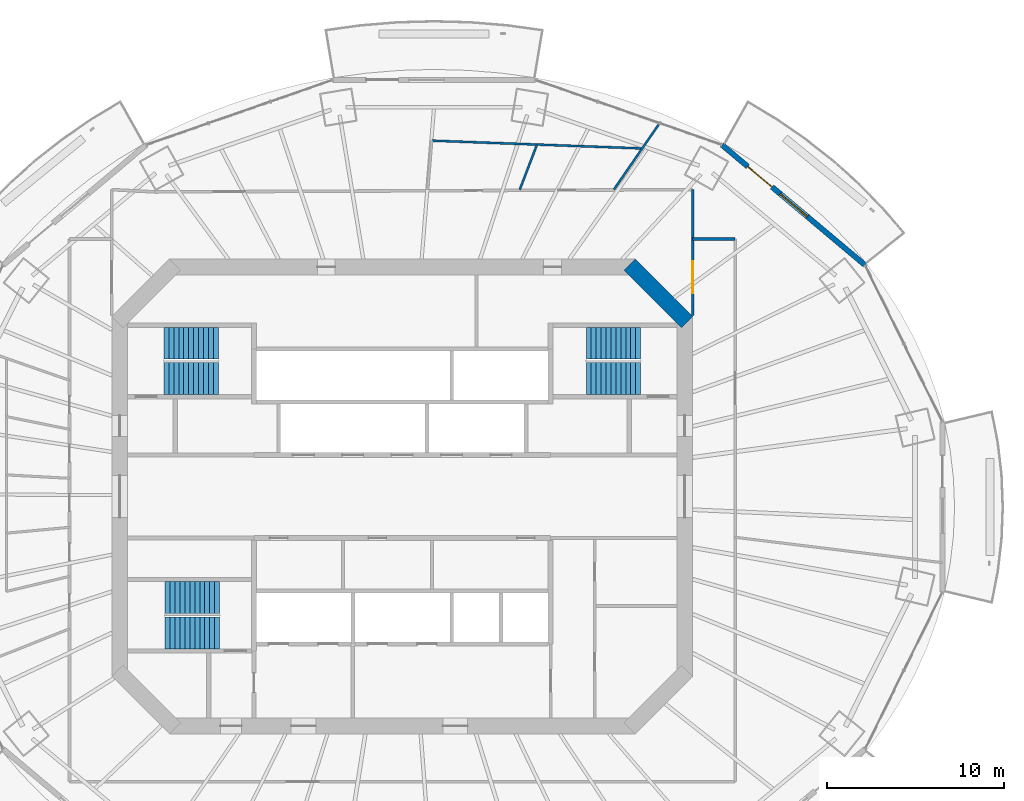
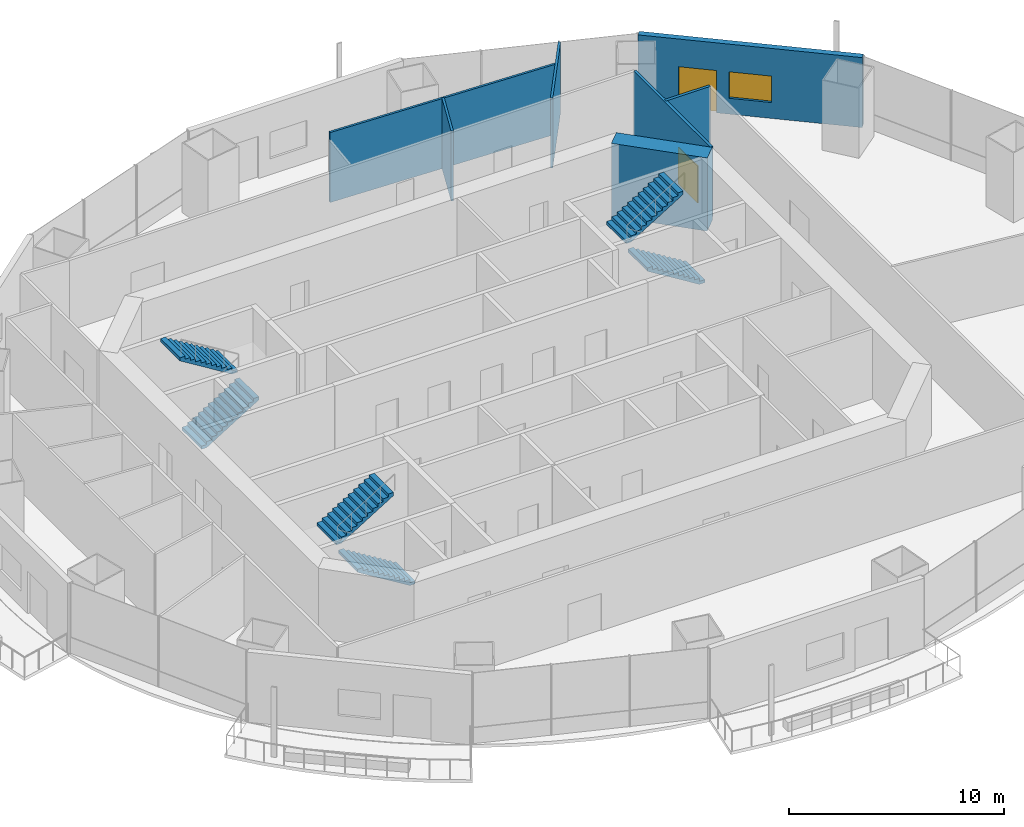
# One storey, part 13 of 18: 7 walls, 6 stair flights, 2 doors, 1 window, 3 openings, 3 elements without a shape of their own.
"""IFC4 building model written with IfcOpenShell, lengths in metres."""

from ifc_helpers import new_model, si_unit, direction, frame, frame_2d, origin, place, context, subcontext, project, spatial, polyline, rectangle, outline, extrude, material, layer, layer_set, type_object, element, fill, aggregate, save


model = new_model("IFC4")

# Units and contexts
model_context = context("Model", 3, precision=1e-05, world=origin(), true_north=direction((0.0, 1.0)))
body_context = subcontext(model_context, "Body", "Model", "MODEL_VIEW")
ifc_project = project(units=[si_unit("LENGTHUNIT", "METRE"), si_unit("AREAUNIT", "SQUARE_METRE"), si_unit("VOLUMEUNIT", "CUBIC_METRE"), si_unit("PLANEANGLEUNIT", "RADIAN"), si_unit("MASSUNIT", "GRAM", prefix="KILO")], contexts=[model_context])

# Site, building, storey
site_placement = place(None, origin())
site = spatial("IfcSite", under=ifc_project, at=site_placement, CompositionType="ELEMENT")
building_placement = place(site_placement, origin())
building = spatial("IfcBuilding", under=site, at=building_placement, Name="Marenthal Gate Tower", CompositionType="ELEMENT")
storey_placement = place(building_placement, frame((0.0, 0.0, 260.64990234375)))
storey = spatial("IfcBuildingStorey", under=building, at=storey_placement, Name="L58", CompositionType="ELEMENT", Elevation=260.64990234375)

# Walls
ifc_material_1 = material(Name="Concrete 60 MPa", Category="concrete")
ifc_layer_1 = layer(ifc_material_1, 0.89990234375)
ifc_layer_set_1 = layer_set([ifc_layer_1], Name="Core shear wall 900")
wall_type_1 = type_object("IfcWallType", Name="Core shear wall 900", PredefinedType="SHEAR", material=ifc_layer_set_1)
wall_1_placement = place(storey_placement, frame((16.1318359375, 9.8681640625, -0.179931640625), z_axis=(0.0, 0.0, 1.0), x_axis=(-0.707106781187, 0.707106781187, 0.0)))
element("IfcWall", 1, at=wall_1_placement, inside=storey, type_object=wall_type_1, Name="Core wall 03", PredefinedType="SHEAR", context=body_context, shape_type="SweptSolid", body=[
    extrude(rectangle(XDim=4.615478515625, YDim=0.89990234375, at=frame_2d((2.3076171875, 0.0))), origin(), (0.0, 0.0, 1.0), 4.150146484375),
])
ifc_material_2 = material(Name="Gypsum board on steel studs", Category="steel")
ifc_layer_2 = layer(ifc_material_2, 0.1201171875)
ifc_layer_set_2 = layer_set([ifc_layer_2], Name="Partition 120")
wall_type_2 = type_object("IfcWallType", Name="Partition 120", PredefinedType="PARTITIONING", material=ifc_layer_set_2)
wall_2_placement = place(storey_placement, frame((7.631591796875, 19.93310546875, 0.0), z_axis=(0.0, 0.0, 1.0), x_axis=(-0.357506405086, -0.933910686481, 0.0)))
element("IfcWall", 2, at=wall_2_placement, inside=storey, type_object=wall_type_2, Name="Partition wall 63", PredefinedType="PARTITIONING", context=body_context, shape_type="SweptSolid", body=[
    extrude(rectangle(XDim=2.733642578125, YDim=0.1201171875, at=frame_2d((1.36669921875, 0.0))), origin(), (0.0, 0.0, 1.0), 3.97021484375),
])
wall_3_placement = place(storey_placement, frame((11.9814453125, 17.380126953125, 0.0), z_axis=(0.0, 0.0, 1.0), x_axis=(0.567580608416, 0.82331783228, 0.0)))
element("IfcWall", 3, at=wall_3_placement, inside=storey, type_object=wall_type_2, Name="Partition wall 64", PredefinedType="PARTITIONING", context=body_context, shape_type="SweptSolid", body=[
    extrude(rectangle(XDim=4.569091796875, YDim=0.1201171875, at=frame_2d((2.28466796875, 0.0))), origin(), (0.0, 0.0, 1.0), 3.97021484375),
])
wall_4_placement = place(storey_placement, frame((13.589111328125, 19.71240234375, 0.0), z_axis=(0.0, 0.0, 1.0), x_axis=(-0.999313711309, 0.037041954465, 0.0)))
element("IfcWall", 4, at=wall_4_placement, inside=storey, type_object=wall_type_2, Name="Partition wall 65", PredefinedType="PARTITIONING", context=body_context, shape_type="SweptSolid", body=[
    extrude(rectangle(XDim=11.923095703125, YDim=0.1201171875, at=frame_2d((5.96142578125, 0.0))), origin(), (0.0, 0.0, 1.0), 3.97021484375),
])

# Wall, opening, door
ifc_material_3 = material(Name="Gypsum board on steel studs", Category="steel")
ifc_layer_3 = layer(ifc_material_3, 0.14990234375)
ifc_layer_set_3 = layer_set([ifc_layer_3], Name="Partition 150")
wall_type_3 = type_object("IfcWallType", Name="Partition 150", PredefinedType="PARTITIONING", material=ifc_layer_set_3)
wall_5_placement = place(storey_placement, frame((16.449951171875, 10.25, 0.0), z_axis=(0.0, 0.0, 1.0), x_axis=(0.0, 1.0, 0.0)))
wall_5 = element("IfcWall", 5, at=wall_5_placement, inside=storey, type_object=wall_type_3, Name="Partition wall 66", PredefinedType="PARTITIONING", context=body_context, shape_type="SweptSolid", body=[
    extrude(rectangle(XDim=7.130126953125, YDim=0.14990234375, at=frame_2d((3.56494140625, 0.0))), origin(), (0.0, 0.0, 1.0), 3.97021484375),
])
opening_1_placement = place(wall_5_placement, frame((1.264892578125, 0.0, 0.0)))
opening_1 = element("IfcOpeningElement", 6, at=opening_1_placement, cuts=wall_5, Name="Opening D014.05", PredefinedType="OPENING", context=body_context, shape_type="SweptSolid", body=[
    extrude(rectangle(XDim=1.800048828125, YDim=2.10009765625, at=frame_2d((0.89990234375, 1.050048828125))), frame((0.0, 0.0849609375, 0.0), z_axis=(0.0, -1.0, 0.0), x_axis=(1.0, 0.0, 0.0)), (0.0, 0.0, 1.0), 0.169921875),
])
ifc_material_4 = material(Name="Timber door", Category="wood")
door_type_1 = type_object("IfcDoorType", Name="Double door 1800 x 2100", OperationType="DOUBLE_DOOR_SINGLE_SWING", PredefinedType="DOOR", material=ifc_material_4)
door_1_placement = place(opening_1_placement, origin())
door_1 = element("IfcDoor", 7, at=door_1_placement, inside=storey, type_object=door_type_1, Name="Door D014.05", OperationType="DOUBLE_DOOR_SINGLE_SWING", OverallHeight=2.10009765625, OverallWidth=1.800048828125, PredefinedType="DOOR", context=body_context, shape_type="SweptSolid", body=[
    extrude(rectangle(XDim=1.800048828125, YDim=2.10009765625, at=frame_2d((0.89990234375, 1.050048828125))), frame((0.0, 0.02490234375, 0.0), z_axis=(0.0, -1.0, 0.0), x_axis=(1.0, 0.0, 0.0)), (0.0, 0.0, 1.0), 0.050048828125),
])
fill(opening_1, door_1)

# Wall
wall_6_placement = place(storey_placement, frame((16.449951171875, 14.580078125, 0.0), z_axis=(0.0, 0.0, 1.0), x_axis=(1.0, 0.0, 0.0)))
element("IfcWall", 8, at=wall_6_placement, inside=storey, type_object=wall_type_3, Name="Partition wall 67", PredefinedType="PARTITIONING", context=body_context, shape_type="SweptSolid", body=[
    extrude(rectangle(XDim=2.400146484375, YDim=0.14990234375, at=frame_2d((1.2001953125, 0.0))), origin(), (0.0, 0.0, 1.0), 3.97021484375),
])

# Wall, openings, door, window
ifc_material_5 = material(Name="Terracotta cladding on insulated concrete-block backing", Category="masonry")
ifc_layer_4 = layer(ifc_material_5, 0.300048828125)
ifc_layer_set_4 = layer_set([ifc_layer_4], Name="Terracotta facade wall 300")
wall_type_4 = type_object("IfcWallType", Name="Terracotta facade wall 300", PredefinedType="SOLIDWALL", material=ifc_layer_set_4)
wall_7_placement = place(storey_placement, frame((26.212890625, 13.104736328125, 0.0), z_axis=(0.0, 0.0, 1.0), x_axis=(-0.765648495003, 0.643259187342, 0.0)))
wall_7 = element("IfcWall", 9, at=wall_7_placement, inside=storey, type_object=wall_type_4, Name="Terracotta facade wall L58 bay 2", PredefinedType="SOLIDWALL", context=body_context, shape_type="SweptSolid", body=[
    extrude(rectangle(XDim=10.580322265625, YDim=0.300048828125, at=frame_2d((5.2900390625, 0.0))), origin(), (0.0, 0.0, 1.0), 3.97021484375),
])
opening_2_placement = place(wall_7_placement, frame((6.880126953125, 0.0, 0.0)))
opening_2 = element("IfcOpeningElement", 10, at=opening_2_placement, cuts=wall_7, Name="Opening BD-L58-02", PredefinedType="OPENING", context=body_context, shape_type="SweptSolid", body=[
    extrude(rectangle(XDim=1.800048828125, YDim=2.39990234375, at=frame_2d((0.89990234375, 1.199951171875))), frame((0.0, 0.16015625, 0.0), z_axis=(0.0, -1.0, 0.0), x_axis=(1.0, 0.0, 0.0)), (0.0, 0.0, 1.0), 0.320068359375),
])
opening_3_placement = place(wall_7_placement, frame((4.2802734375, 0.0, 0.89990234375)))
opening_3 = element("IfcOpeningElement", 11, at=opening_3_placement, cuts=wall_7, Name="Opening WN2-L58-02", PredefinedType="OPENING", context=body_context, shape_type="SweptSolid", body=[
    extrude(rectangle(XDim=2.0, YDim=1.5, at=frame_2d((1.0, 0.75))), frame((0.0, 0.16015625, 0.0), z_axis=(0.0, -1.0, 0.0), x_axis=(1.0, 0.0, 0.0)), (0.0, 0.0, 1.0), 0.320068359375),
])
ifc_material_6 = material(Name="Aluminium and glass", Category="aluminium")
door_type_2 = type_object("IfcDoorType", Name="Balcony door 1800x2400", OperationType="DOUBLE_DOOR_SINGLE_SWING", PredefinedType="DOOR", material=ifc_material_6)
door_2_placement = place(opening_2_placement, origin())
door_2 = element("IfcDoor", 12, at=door_2_placement, inside=storey, type_object=door_type_2, Name="Balcony door L58 bay 2", OperationType="SINGLE_SWING_LEFT", OverallHeight=2.39990234375, OverallWidth=1.800048828125, PredefinedType="DOOR", context=body_context, shape_type="SweptSolid", body=[
    extrude(rectangle(XDim=1.800048828125, YDim=2.39990234375, at=frame_2d((0.89990234375, 1.199951171875))), frame((0.0, 0.02490234375, 0.0), z_axis=(0.0, -1.0, 0.0), x_axis=(1.0, 0.0, 0.0)), (0.0, 0.0, 1.0), 0.050048828125),
])
fill(opening_2, door_2)
ifc_material_7 = material(Name="Aluminium and glass", Category="aluminium")
window_type = type_object("IfcWindowType", Name="Window 2000x1500", PartitioningType="DOUBLE_PANEL_VERTICAL", PredefinedType="WINDOW", material=ifc_material_7)
window_placement = place(opening_3_placement, origin())
window = element("IfcWindow", 13, at=window_placement, inside=storey, type_object=window_type, Name="Window L58 bay 2", OverallHeight=1.5, OverallWidth=2.0, PartitioningType="SINGLE_PANEL", PredefinedType="WINDOW", context=body_context, shape_type="SweptSolid", body=[
    extrude(rectangle(XDim=2.0, YDim=1.5, at=frame_2d((1.0, 0.75))), frame((0.0, 0.030029296875, 0.0), z_axis=(0.0, -1.0, 0.0), x_axis=(1.0, 0.0, 0.0)), (0.0, 0.0, 1.0), 0.06005859375),
])
fill(opening_3, window)

# Stair, stair flights
ifc_material_8 = material(Name="Concrete 40 MPa", Category="concrete")
stair_type = type_object("IfcStairType", Name="Exit stair 1800", PredefinedType="HALF_TURN_STAIR", material=ifc_material_8)
stair_1_placement = place(storey_placement, origin())
stair_1 = element("IfcStair", 14, at=stair_1_placement, inside=storey, type_object=stair_type, Name="Stair ST1", PredefinedType="HALF_TURN_STAIR")
ifc_material_9 = material(Name="Concrete 40 MPa", Category="concrete")
stair_flight_type = type_object("IfcStairFlightType", Name="Stair flight 1800", PredefinedType="STRAIGHT", material=ifc_material_9)
stair_flight_1_placement = place(storey_placement, frame((-13.5, 6.675048828125, 0.0), z_axis=(0.0, 0.0, 1.0), x_axis=(1.0, 0.0, 0.0)))
stair_flight_1 = element("IfcStairFlight", 15, at=stair_flight_1_placement, type_object=stair_flight_type, Name="ST1 flight 1", NumberOfRisers=12, NumberOfTreads=11, PredefinedType="STRAIGHT", RiserHeight=0.172916667, TreadLength=0.28, context=body_context, shape_type="SweptSolid", body=[
    extrude(outline(polyline([(0.0, 0.0), (0.0, 0.1728515625), (0.280029296875, 0.1728515625), (0.280029296875, 0.345947265625), (0.56005859375, 0.345947265625), (0.56005859375, 0.518798828125), (0.840087890625, 0.518798828125), (0.840087890625, 0.691650390625), (1.1201171875, 0.691650390625), (1.1201171875, 0.864501953125), (1.39990234375, 0.864501953125), (1.39990234375, 1.03759765625), (1.679931640625, 1.03759765625), (1.679931640625, 1.21044921875), (1.9599609375, 1.21044921875), (1.9599609375, 1.38330078125), (2.239990234375, 1.38330078125), (2.239990234375, 1.55615234375), (2.52001953125, 1.55615234375), (2.52001953125, 1.729248046875), (2.800048828125, 1.729248046875), (2.800048828125, 1.902099609375), (3.080078125, 1.902099609375), (3.080078125, 2.074951171875), (3.080078125, 1.725830078125), (0.285400390625, 0.0), (0.0, 0.0)])), frame((0.0, 0.89990234375, 0.0), z_axis=(0.0, -1.0, 0.0), x_axis=(1.0, 0.0, 0.0)), (0.0, 0.0, 1.0), 1.800048828125),
])
stair_flight_2_placement = place(storey_placement, frame((-10.419921875, 8.675048828125, 2.0751953125), z_axis=(0.0, 0.0, 1.0), x_axis=(-1.0, 0.0, 0.0)))
stair_flight_2 = element("IfcStairFlight", 16, at=stair_flight_2_placement, type_object=stair_flight_type, Name="ST1 flight 2", NumberOfRisers=12, NumberOfTreads=11, PredefinedType="STRAIGHT", RiserHeight=0.172916667, TreadLength=0.28, context=body_context, shape_type="SweptSolid", body=[
    extrude(outline(polyline([(0.0, 0.0), (0.0, 0.1728515625), (0.280029296875, 0.1728515625), (0.280029296875, 0.345947265625), (0.56005859375, 0.345947265625), (0.56005859375, 0.518798828125), (0.840087890625, 0.518798828125), (0.840087890625, 0.691650390625), (1.1201171875, 0.691650390625), (1.1201171875, 0.864501953125), (1.39990234375, 0.864501953125), (1.39990234375, 1.03759765625), (1.679931640625, 1.03759765625), (1.679931640625, 1.21044921875), (1.9599609375, 1.21044921875), (1.9599609375, 1.38330078125), (2.239990234375, 1.38330078125), (2.239990234375, 1.55615234375), (2.52001953125, 1.55615234375), (2.52001953125, 1.729248046875), (2.800048828125, 1.729248046875), (2.800048828125, 1.902099609375), (3.080078125, 1.902099609375), (3.080078125, 2.074951171875), (3.080078125, 1.725830078125), (0.285400390625, 0.0), (0.0, 0.0)])), frame((0.0, 0.89990234375, 0.0), z_axis=(0.0, -1.0, 0.0), x_axis=(1.0, 0.0, 0.0)), (0.0, 0.0, 1.0), 1.800048828125),
])
aggregate(stair_1, [stair_flight_1, stair_flight_2])

stair_2_placement = place(storey_placement, origin())
stair_2 = element("IfcStair", 17, at=stair_2_placement, inside=storey, type_object=stair_type, Name="Stair ST2", PredefinedType="HALF_TURN_STAIR")
stair_flight_3_placement = place(storey_placement, frame((-10.35009765625, -7.72509765625, 0.0), z_axis=(0.0, 0.0, 1.0), x_axis=(-1.0, 0.0, 0.0)))
stair_flight_3 = element("IfcStairFlight", 18, at=stair_flight_3_placement, type_object=stair_flight_type, Name="ST2 flight 1", NumberOfRisers=12, NumberOfTreads=11, PredefinedType="STRAIGHT", RiserHeight=0.172916667, TreadLength=0.28, context=body_context, shape_type="SweptSolid", body=[
    extrude(outline(polyline([(0.0, 0.0), (0.0, 0.1728515625), (0.280029296875, 0.1728515625), (0.280029296875, 0.345947265625), (0.56005859375, 0.345947265625), (0.56005859375, 0.518798828125), (0.840087890625, 0.518798828125), (0.840087890625, 0.691650390625), (1.1201171875, 0.691650390625), (1.1201171875, 0.864501953125), (1.39990234375, 0.864501953125), (1.39990234375, 1.03759765625), (1.679931640625, 1.03759765625), (1.679931640625, 1.21044921875), (1.9599609375, 1.21044921875), (1.9599609375, 1.38330078125), (2.239990234375, 1.38330078125), (2.239990234375, 1.55615234375), (2.52001953125, 1.55615234375), (2.52001953125, 1.729248046875), (2.800048828125, 1.729248046875), (2.800048828125, 1.902099609375), (3.080078125, 1.902099609375), (3.080078125, 2.074951171875), (3.080078125, 1.725830078125), (0.285400390625, 0.0), (0.0, 0.0)])), frame((0.0, 0.89990234375, 0.0), z_axis=(0.0, -1.0, 0.0), x_axis=(1.0, 0.0, 0.0)), (0.0, 0.0, 1.0), 1.800048828125),
])
stair_flight_4_placement = place(storey_placement, frame((-13.429931640625, -5.72509765625, 2.0751953125), z_axis=(0.0, 0.0, 1.0), x_axis=(1.0, 0.0, 0.0)))
stair_flight_4 = element("IfcStairFlight", 19, at=stair_flight_4_placement, type_object=stair_flight_type, Name="ST2 flight 2", NumberOfRisers=12, NumberOfTreads=11, PredefinedType="STRAIGHT", RiserHeight=0.172916667, TreadLength=0.28, context=body_context, shape_type="SweptSolid", body=[
    extrude(outline(polyline([(0.0, 0.0), (0.0, 0.1728515625), (0.280029296875, 0.1728515625), (0.280029296875, 0.345947265625), (0.56005859375, 0.345947265625), (0.56005859375, 0.518798828125), (0.840087890625, 0.518798828125), (0.840087890625, 0.691650390625), (1.1201171875, 0.691650390625), (1.1201171875, 0.864501953125), (1.39990234375, 0.864501953125), (1.39990234375, 1.03759765625), (1.679931640625, 1.03759765625), (1.679931640625, 1.21044921875), (1.9599609375, 1.21044921875), (1.9599609375, 1.38330078125), (2.239990234375, 1.38330078125), (2.239990234375, 1.55615234375), (2.52001953125, 1.55615234375), (2.52001953125, 1.729248046875), (2.800048828125, 1.729248046875), (2.800048828125, 1.902099609375), (3.080078125, 1.902099609375), (3.080078125, 2.074951171875), (3.080078125, 1.725830078125), (0.285400390625, 0.0), (0.0, 0.0)])), frame((0.0, 0.89990234375, 0.0), z_axis=(0.0, -1.0, 0.0), x_axis=(1.0, 0.0, 0.0)), (0.0, 0.0, 1.0), 1.800048828125),
])
aggregate(stair_2, [stair_flight_3, stair_flight_4])

stair_3_placement = place(storey_placement, origin())
stair_3 = element("IfcStair", 20, at=stair_3_placement, inside=storey, type_object=stair_type, Name="Stair ST3", PredefinedType="HALF_TURN_STAIR")
stair_flight_5_placement = place(storey_placement, frame((13.5, 6.675048828125, 0.0), z_axis=(0.0, 0.0, 1.0), x_axis=(-1.0, 0.0, 0.0)))
stair_flight_5 = element("IfcStairFlight", 21, at=stair_flight_5_placement, type_object=stair_flight_type, Name="ST3 flight 1", NumberOfRisers=12, NumberOfTreads=11, PredefinedType="STRAIGHT", RiserHeight=0.172916667, TreadLength=0.28, context=body_context, shape_type="SweptSolid", body=[
    extrude(outline(polyline([(0.0, 0.0), (0.0, 0.1728515625), (0.280029296875, 0.1728515625), (0.280029296875, 0.345947265625), (0.56005859375, 0.345947265625), (0.56005859375, 0.518798828125), (0.840087890625, 0.518798828125), (0.840087890625, 0.691650390625), (1.1201171875, 0.691650390625), (1.1201171875, 0.864501953125), (1.39990234375, 0.864501953125), (1.39990234375, 1.03759765625), (1.679931640625, 1.03759765625), (1.679931640625, 1.21044921875), (1.9599609375, 1.21044921875), (1.9599609375, 1.38330078125), (2.239990234375, 1.38330078125), (2.239990234375, 1.55615234375), (2.52001953125, 1.55615234375), (2.52001953125, 1.729248046875), (2.800048828125, 1.729248046875), (2.800048828125, 1.902099609375), (3.080078125, 1.902099609375), (3.080078125, 2.074951171875), (3.080078125, 1.725830078125), (0.285400390625, 0.0), (0.0, 0.0)])), frame((0.0, 0.89990234375, 0.0), z_axis=(0.0, -1.0, 0.0), x_axis=(1.0, 0.0, 0.0)), (0.0, 0.0, 1.0), 1.800048828125),
])
stair_flight_6_placement = place(storey_placement, frame((10.419921875, 8.675048828125, 2.0751953125), z_axis=(0.0, 0.0, 1.0), x_axis=(1.0, 0.0, 0.0)))
stair_flight_6 = element("IfcStairFlight", 22, at=stair_flight_6_placement, type_object=stair_flight_type, Name="ST3 flight 2", NumberOfRisers=12, NumberOfTreads=11, PredefinedType="STRAIGHT", RiserHeight=0.172916667, TreadLength=0.28, context=body_context, shape_type="SweptSolid", body=[
    extrude(outline(polyline([(0.0, 0.0), (0.0, 0.1728515625), (0.280029296875, 0.1728515625), (0.280029296875, 0.345947265625), (0.56005859375, 0.345947265625), (0.56005859375, 0.518798828125), (0.840087890625, 0.518798828125), (0.840087890625, 0.691650390625), (1.1201171875, 0.691650390625), (1.1201171875, 0.864501953125), (1.39990234375, 0.864501953125), (1.39990234375, 1.03759765625), (1.679931640625, 1.03759765625), (1.679931640625, 1.21044921875), (1.9599609375, 1.21044921875), (1.9599609375, 1.38330078125), (2.239990234375, 1.38330078125), (2.239990234375, 1.55615234375), (2.52001953125, 1.55615234375), (2.52001953125, 1.729248046875), (2.800048828125, 1.729248046875), (2.800048828125, 1.902099609375), (3.080078125, 1.902099609375), (3.080078125, 2.074951171875), (3.080078125, 1.725830078125), (0.285400390625, 0.0), (0.0, 0.0)])), frame((0.0, 0.89990234375, 0.0), z_axis=(0.0, -1.0, 0.0), x_axis=(1.0, 0.0, 0.0)), (0.0, 0.0, 1.0), 1.800048828125),
])
aggregate(stair_3, [stair_flight_5, stair_flight_6])

save(model, "model.ifc")
